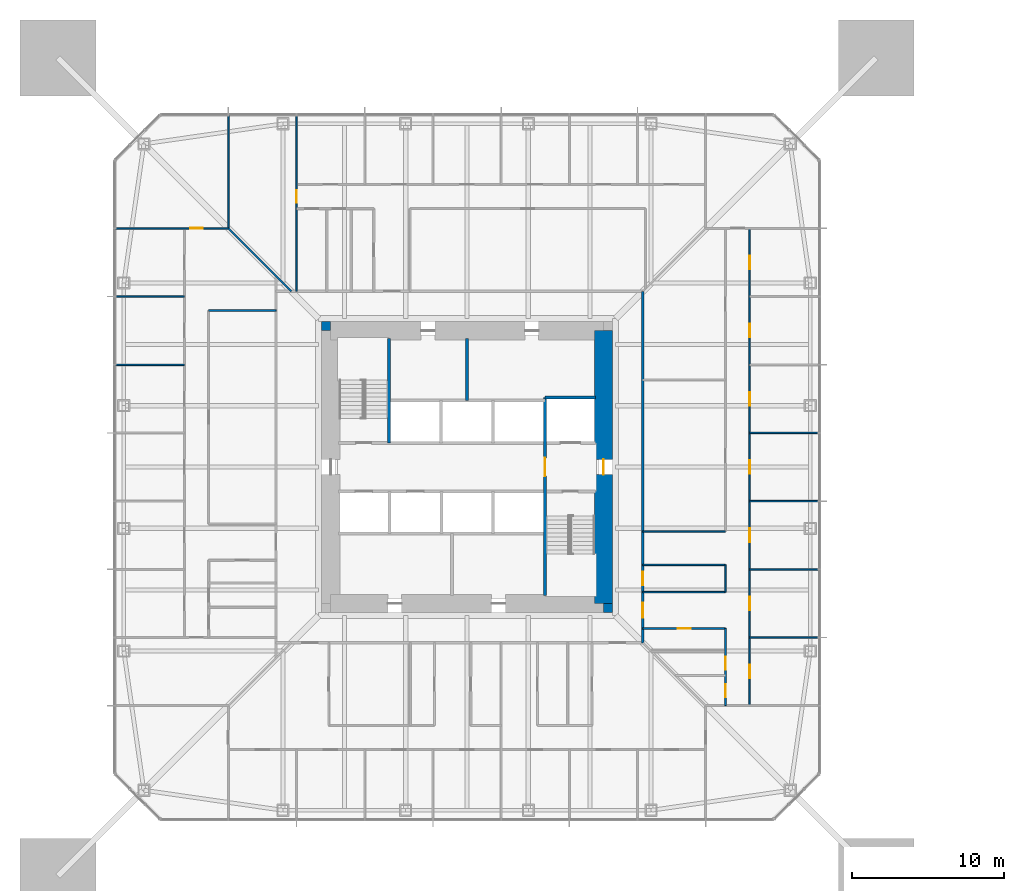
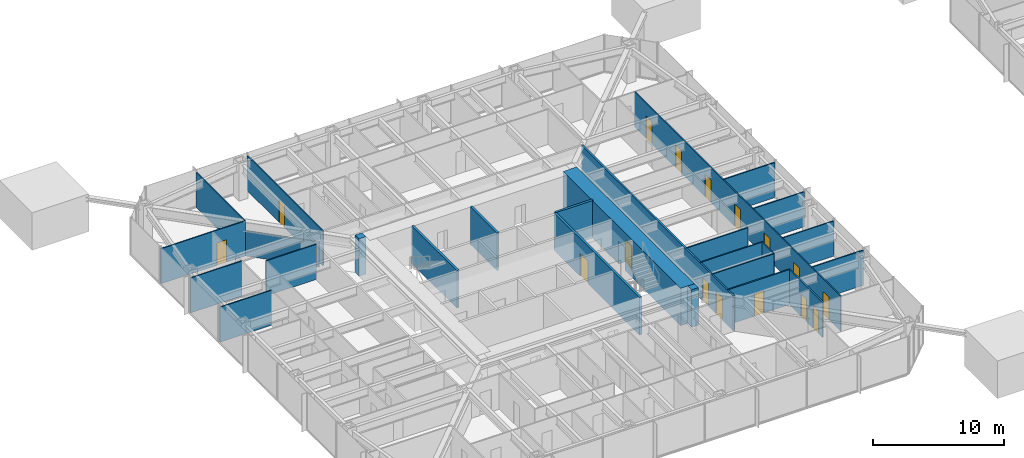
# One storey, part 16 of 26: 26 walls, 16 doors, 16 openings.
"""IFC4 building model written with IfcOpenShell, lengths in metres."""

from ifc_helpers import new_model, si_unit, direction, frame, frame_2d, origin, place, context, subcontext, project, spatial, rectangle, extrude, material, layer, layer_set, type_object, element, fill, save


model = new_model("IFC4")

# Units and contexts
model_context = context("Model", 3, precision=1e-05, world=origin(), true_north=direction((0.0, 1.0)))
body_context = subcontext(model_context, "Body", "Model", "MODEL_VIEW")
ifc_project = project(units=[si_unit("LENGTHUNIT", "METRE"), si_unit("AREAUNIT", "SQUARE_METRE"), si_unit("VOLUMEUNIT", "CUBIC_METRE"), si_unit("PLANEANGLEUNIT", "RADIAN"), si_unit("MASSUNIT", "GRAM", prefix="KILO")], contexts=[model_context])

# Site, building, storey
site_placement = place(None, origin())
site = spatial("IfcSite", under=ifc_project, at=site_placement, CompositionType="ELEMENT")
building_placement = place(site_placement, origin())
building = spatial("IfcBuilding", under=site, at=building_placement, Name="Iwan Alto Co-Living Towers", CompositionType="ELEMENT")
storey_placement = place(building_placement, frame((0.0, 0.0, 50.0)))
storey = spatial("IfcBuildingStorey", under=building, at=storey_placement, Name="L13", CompositionType="ELEMENT", Elevation=50.0)

# Wall, openings, doors
ifc_material_1 = material(Name="Gypsum board")
ifc_layer_1 = layer(ifc_material_1, 0.02490234375, Name="Board", Category="Finish")
ifc_material_2 = material(Name="Steel ASTM A1003 ST33H cold-formed studs", Category="steel")
ifc_layer_2 = layer(ifc_material_2, 0.10009765625, Name="Studs", Category="Framing")
ifc_layer_3 = layer(ifc_material_1, 0.02490234375, Name="Board", Category="Finish")
ifc_layer_set_1 = layer_set([ifc_layer_1, ifc_layer_2, ifc_layer_3], Name="CORRIDOR WALL 150")
wall_type_1 = type_object("IfcWallType", Name="CORRIDOR WALL 150", PredefinedType="PARTITIONING", material=ifc_layer_set_1)
wall_1_placement = place(storey_placement, frame((11.60009765625, -11.60009765625, 0.0), z_axis=(0.0, 0.0, 1.0), x_axis=(0.0, 1.0, 0.0)))
wall_1 = element("IfcWall", 1, at=wall_1_placement, inside=storey, type_object=wall_type_1, Name="Partition L13", PredefinedType="PARTITIONING", context=body_context, shape_type="SweptSolid", body=[
    extrude(rectangle(XDim=23.2001953125, YDim=0.14990234375, at=frame_2d((11.60009765625, 0.0))), origin(), (0.0, 0.0, 1.0), 3.27001953125),
])
opening_1_placement = place(wall_1_placement, frame((1.64990234375, 0.0, 0.0)))
opening_1 = element("IfcOpeningElement", 2, at=opening_1_placement, cuts=wall_1, Name="Opening D3", PredefinedType="OPENING", context=body_context, shape_type="SweptSolid", body=[
    extrude(rectangle(XDim=1.0, YDim=2.10009765625, at=frame_2d((0.5, 1.050048828125))), frame((0.0, 0.0849609375, 0.0), z_axis=(0.0, -1.0, 0.0), x_axis=(1.0, 0.0, 0.0)), (0.0, 0.0, 1.0), 0.169921875),
])
opening_2_placement = place(wall_1_placement, frame((3.800048828125, 0.0, 0.0)))
opening_2 = element("IfcOpeningElement", 3, at=opening_2_placement, cuts=wall_1, Name="Opening D8", PredefinedType="OPENING", context=body_context, shape_type="SweptSolid", body=[
    extrude(rectangle(XDim=0.89990234375, YDim=2.10009765625, at=frame_2d((0.449951171875, 1.050048828125))), frame((0.0, 0.0849609375, 0.0), z_axis=(0.0, -1.0, 0.0), x_axis=(1.0, 0.0, 0.0)), (0.0, 0.0, 1.0), 0.169921875),
])
ifc_material_3 = material(Name="Steel frame with timber leaf", Category="steel")
door_type_1 = type_object("IfcDoorType", Name="FLAT ENTRANCE DOOR FD30S 1000X2100", OperationType="SINGLE_SWING_LEFT", PredefinedType="DOOR", material=ifc_material_3)
door_1_placement = place(opening_1_placement, frame((1.0, 0.0, 0.0), z_axis=(0.0, 0.0, 1.0), x_axis=(-1.0, 0.0, 0.0)))
door_1 = element("IfcDoor", 4, at=door_1_placement, inside=storey, type_object=door_type_1, Name="Cluster lounge door L13", OperationType="SINGLE_SWING_RIGHT", OverallHeight=2.10009765625, OverallWidth=1.0, PredefinedType="DOOR", context=body_context, shape_type="SweptSolid", body=[
    extrude(rectangle(XDim=1.0, YDim=2.10009765625, at=frame_2d((0.5, 1.050048828125))), frame((0.0, 0.02490234375, 0.0), z_axis=(0.0, -1.0, 0.0), x_axis=(1.0, 0.0, 0.0)), (0.0, 0.0, 1.0), 0.050048828125),
])
fill(opening_1, door_1)
ifc_material_4 = material(Name="Steel frame with timber leaf", Category="steel")
door_type_2 = type_object("IfcDoorType", Name="RISER DOOR FD120 900X2100", OperationType="SINGLE_SWING_LEFT", PredefinedType="DOOR", material=ifc_material_4)
door_2_placement = place(opening_2_placement, frame((0.89990234375, 0.0, 0.0), z_axis=(0.0, 0.0, 1.0), x_axis=(-1.0, 0.0, 0.0)))
door_2 = element("IfcDoor", 5, at=door_2_placement, inside=storey, type_object=door_type_2, Name="Vending room door L13", OperationType="SINGLE_SWING_RIGHT", OverallHeight=2.10009765625, OverallWidth=0.89990234375, PredefinedType="DOOR", context=body_context, shape_type="SweptSolid", body=[
    extrude(rectangle(XDim=0.89990234375, YDim=2.10009765625, at=frame_2d((0.449951171875, 1.050048828125))), frame((0.0, 0.02490234375, 0.0), z_axis=(0.0, -1.0, 0.0), x_axis=(1.0, 0.0, 0.0)), (0.0, 0.0, 1.0), 0.050048828125),
])
fill(opening_2, door_2)

# Walls
ifc_layer_4 = layer(ifc_material_1, 0.012451171875, Name="Board", Category="Finish")
ifc_layer_5 = layer(ifc_material_2, 0.074951171875, Name="Studs", Category="Framing")
ifc_layer_6 = layer(ifc_material_1, 0.012451171875, Name="Board", Category="Finish")
ifc_layer_set_2 = layer_set([ifc_layer_4, ifc_layer_5, ifc_layer_6], Name="PARTITION 100")
wall_type_2 = type_object("IfcWallType", Name="PARTITION 100", PredefinedType="PARTITIONING", material=ifc_layer_set_2)
wall_2_placement = place(storey_placement, frame((18.64990234375, -11.25, 0.0), z_axis=(0.0, 0.0, 1.0), x_axis=(1.0, 0.0, 0.0)))
element("IfcWall", 6, at=wall_2_placement, inside=storey, type_object=wall_type_2, Name="Partition L13", PredefinedType="PARTITIONING", context=body_context, shape_type="SweptSolid", body=[
    extrude(rectangle(XDim=4.5400390625, YDim=0.10009765625, at=frame_2d((2.27001953125, 0.0))), origin(), (0.0, 0.0, 1.0), 3.27001953125),
])
wall_3_placement = place(storey_placement, frame((11.60009765625, -8.25, 0.0), z_axis=(0.0, 0.0, 1.0), x_axis=(1.0, 0.0, 0.0)))
element("IfcWall", 7, at=wall_3_placement, inside=storey, type_object=wall_type_2, Name="Partition L13", PredefinedType="PARTITIONING", context=body_context, shape_type="SweptSolid", body=[
    extrude(rectangle(XDim=5.449951171875, YDim=0.10009765625, at=frame_2d((2.72509765625, 0.0))), origin(), (0.0, 0.0, 1.0), 3.27001953125),
])
wall_4_placement = place(storey_placement, frame((18.64990234375, -6.75, 0.0), z_axis=(0.0, 0.0, 1.0), x_axis=(1.0, 0.0, 0.0)))
element("IfcWall", 8, at=wall_4_placement, inside=storey, type_object=wall_type_2, Name="Partition L13", PredefinedType="PARTITIONING", context=body_context, shape_type="SweptSolid", body=[
    extrude(rectangle(XDim=4.5400390625, YDim=0.10009765625, at=frame_2d((2.27001953125, 0.0))), origin(), (0.0, 0.0, 1.0), 3.27001953125),
])
for number, where, z_axis, x_axis, name in (
    (9, (11.60009765625, -6.449951171875, 0.0), (0.0, 0.0, 1.0), (1.0, 0.0, 0.0), "Partition L13"),
    (10, (11.60009765625, -4.25, 0.0), (0.0, 0.0, 1.0), (1.0, 0.0, 0.0), "Partition L13"),
):
    element("IfcWall", number, at=place(storey_placement, frame(where, z_axis=z_axis, x_axis=x_axis)), inside=storey, type_object=wall_type_2, Name=name, PredefinedType="PARTITIONING", context=body_context, shape_type="SweptSolid", body=[
        extrude(rectangle(XDim=5.449951171875, YDim=0.10009765625, at=frame_2d((2.72509765625, 0.0))), origin(), (0.0, 0.0, 1.0), 3.27001953125),
    ])
for number, where, z_axis, x_axis, name in (
    (11, (18.64990234375, -2.25, 0.0), (0.0, 0.0, 1.0), (1.0, 0.0, 0.0), "Partition L13"),
    (12, (18.64990234375, 2.25, 0.0), (0.0, 0.0, 1.0), (1.0, 0.0, 0.0), "Partition L13"),
    (13, (-23.18994140625, 6.75, 0.0), (0.0, 0.0, 1.0), (1.0, 0.0, 0.0), "Partition L13"),
):
    element("IfcWall", number, at=place(storey_placement, frame(where, z_axis=z_axis, x_axis=x_axis)), inside=storey, type_object=wall_type_2, Name=name, PredefinedType="PARTITIONING", context=body_context, shape_type="SweptSolid", body=[
        extrude(rectangle(XDim=4.5400390625, YDim=0.10009765625, at=frame_2d((2.27001953125, 0.0))), origin(), (0.0, 0.0, 1.0), 3.27001953125),
    ])
wall_5_placement = place(storey_placement, frame((-17.050048828125, 10.330078125, 0.0), z_axis=(0.0, 0.0, 1.0), x_axis=(1.0, 0.0, 0.0)))
element("IfcWall", 14, at=wall_5_placement, inside=storey, type_object=wall_type_2, Name="Partition L13", PredefinedType="PARTITIONING", context=body_context, shape_type="SweptSolid", body=[
    extrude(rectangle(XDim=4.449951171875, YDim=0.10009765625, at=frame_2d((2.22509765625, 0.0))), origin(), (0.0, 0.0, 1.0), 3.27001953125),
])
wall_6_placement = place(storey_placement, frame((-23.18994140625, 11.25, 0.0), z_axis=(0.0, 0.0, 1.0), x_axis=(1.0, 0.0, 0.0)))
element("IfcWall", 15, at=wall_6_placement, inside=storey, type_object=wall_type_2, Name="Partition L13", PredefinedType="PARTITIONING", context=body_context, shape_type="SweptSolid", body=[
    extrude(rectangle(XDim=4.5400390625, YDim=0.10009765625, at=frame_2d((2.27001953125, 0.0))), origin(), (0.0, 0.0, 1.0), 3.27001953125),
])

# Wall, opening, door
wall_7_placement = place(storey_placement, frame((-23.18994140625, 15.75, 0.0), z_axis=(0.0, 0.0, 1.0), x_axis=(1.0, 0.0, 0.0)))
wall_7 = element("IfcWall", 16, at=wall_7_placement, inside=storey, type_object=wall_type_2, Name="Partition L13", PredefinedType="PARTITIONING", context=body_context, shape_type="SweptSolid", body=[
    extrude(rectangle(XDim=7.43994140625, YDim=0.10009765625, at=frame_2d((3.719970703125, 0.0))), origin(), (0.0, 0.0, 1.0), 3.27001953125),
])
opening_3_placement = place(wall_7_placement, frame((4.9150390625, 0.0, 0.0)))
opening_3 = element("IfcOpeningElement", 17, at=opening_3_placement, cuts=wall_7, Name="Opening D2", PredefinedType="OPENING", context=body_context, shape_type="SweptSolid", body=[
    extrude(rectangle(XDim=0.85009765625, YDim=2.10009765625, at=frame_2d((0.425048828125, 1.050048828125))), frame((0.0, 0.06005859375, 0.0), z_axis=(0.0, -1.0, 0.0), x_axis=(1.0, 0.0, 0.0)), (0.0, 0.0, 1.0), 0.1201171875),
])
ifc_material_5 = material(Name="Timber leaf in steel frame", Category="steel")
door_type_3 = type_object("IfcDoorType", Name="ROOM DOOR 850X2100", OperationType="SINGLE_SWING_LEFT", PredefinedType="DOOR", material=ifc_material_5)
door_3_placement = place(opening_3_placement, frame((0.85009765625, 0.0, 0.0), z_axis=(0.0, 0.0, 1.0), x_axis=(-1.0, 0.0, 0.0)))
door_3 = element("IfcDoor", 18, at=door_3_placement, inside=storey, type_object=door_type_3, Name="Study lounge door L13", OperationType="SINGLE_SWING_RIGHT", OverallHeight=2.10009765625, OverallWidth=0.85009765625, PredefinedType="DOOR", context=body_context, shape_type="SweptSolid", body=[
    extrude(rectangle(XDim=0.85009765625, YDim=2.10009765625, at=frame_2d((0.425048828125, 1.050048828125))), frame((0.0, 0.02490234375, 0.0), z_axis=(0.0, -1.0, 0.0), x_axis=(1.0, 0.0, 0.0)), (0.0, 0.0, 1.0), 0.050048828125),
])
fill(opening_3, door_3)

# Wall, openings, doors
wall_8_placement = place(storey_placement, frame((18.64990234375, -15.75, 0.0), z_axis=(0.0, 0.0, 1.0), x_axis=(0.0, 1.0, 0.0)))
wall_8 = element("IfcWall", 19, at=wall_8_placement, inside=storey, type_object=wall_type_2, Name="Partition L13", PredefinedType="PARTITIONING", context=body_context, shape_type="SweptSolid", body=[
    extrude(rectangle(XDim=31.5, YDim=0.10009765625, at=frame_2d((15.75, 0.0))), origin(), (0.0, 0.0, 1.0), 3.27001953125),
])
opening_4_placement = place(wall_8_placement, frame((1.800048828125, 0.0, 0.0)))
opening_4 = element("IfcOpeningElement", 20, at=opening_4_placement, cuts=wall_8, Name="Opening D1", PredefinedType="OPENING", context=body_context, shape_type="SweptSolid", body=[
    extrude(rectangle(XDim=0.89990234375, YDim=2.10009765625, at=frame_2d((0.449951171875, 1.050048828125))), frame((0.0, 0.06005859375, 0.0), z_axis=(0.0, -1.0, 0.0), x_axis=(1.0, 0.0, 0.0)), (0.0, 0.0, 1.0), 0.1201171875),
])
opening_5_placement = place(wall_8_placement, frame((6.300048828125, 0.0, 0.0)))
opening_5 = element("IfcOpeningElement", 21, at=opening_5_placement, cuts=wall_8, Name="Opening D1", PredefinedType="OPENING", context=body_context, shape_type="SweptSolid", body=[
    extrude(rectangle(XDim=0.89990234375, YDim=2.10009765625, at=frame_2d((0.449951171875, 1.050048828125))), frame((0.0, 0.06005859375, 0.0), z_axis=(0.0, -1.0, 0.0), x_axis=(1.0, 0.0, 0.0)), (0.0, 0.0, 1.0), 0.1201171875),
])
opening_6_placement = place(wall_8_placement, frame((10.800048828125, 0.0, 0.0)))
opening_6 = element("IfcOpeningElement", 22, at=opening_6_placement, cuts=wall_8, Name="Opening D1", PredefinedType="OPENING", context=body_context, shape_type="SweptSolid", body=[
    extrude(rectangle(XDim=0.89990234375, YDim=2.10009765625, at=frame_2d((0.449951171875, 1.050048828125))), frame((0.0, 0.06005859375, 0.0), z_axis=(0.0, -1.0, 0.0), x_axis=(1.0, 0.0, 0.0)), (0.0, 0.0, 1.0), 0.1201171875),
])
opening_7_placement = place(wall_8_placement, frame((15.300048828125, 0.0, 0.0)))
opening_7 = element("IfcOpeningElement", 23, at=opening_7_placement, cuts=wall_8, Name="Opening D1", PredefinedType="OPENING", context=body_context, shape_type="SweptSolid", body=[
    extrude(rectangle(XDim=0.89990234375, YDim=2.10009765625, at=frame_2d((0.449951171875, 1.050048828125))), frame((0.0, 0.06005859375, 0.0), z_axis=(0.0, -1.0, 0.0), x_axis=(1.0, 0.0, 0.0)), (0.0, 0.0, 1.0), 0.1201171875),
])
opening_8_placement = place(wall_8_placement, frame((19.800048828125, 0.0, 0.0)))
opening_8 = element("IfcOpeningElement", 24, at=opening_8_placement, cuts=wall_8, Name="Opening D1", PredefinedType="OPENING", context=body_context, shape_type="SweptSolid", body=[
    extrude(rectangle(XDim=0.89990234375, YDim=2.10009765625, at=frame_2d((0.449951171875, 1.050048828125))), frame((0.0, 0.06005859375, 0.0), z_axis=(0.0, -1.0, 0.0), x_axis=(1.0, 0.0, 0.0)), (0.0, 0.0, 1.0), 0.1201171875),
])
opening_9_placement = place(wall_8_placement, frame((24.300048828125, 0.0, 0.0)))
opening_9 = element("IfcOpeningElement", 25, at=opening_9_placement, cuts=wall_8, Name="Opening D1", PredefinedType="OPENING", context=body_context, shape_type="SweptSolid", body=[
    extrude(rectangle(XDim=0.89990234375, YDim=2.10009765625, at=frame_2d((0.449951171875, 1.050048828125))), frame((0.0, 0.06005859375, 0.0), z_axis=(0.0, -1.0, 0.0), x_axis=(1.0, 0.0, 0.0)), (0.0, 0.0, 1.0), 0.1201171875),
])
opening_10_placement = place(wall_8_placement, frame((28.800048828125, 0.0, 0.0)))
opening_10 = element("IfcOpeningElement", 26, at=opening_10_placement, cuts=wall_8, Name="Opening D1", PredefinedType="OPENING", context=body_context, shape_type="SweptSolid", body=[
    extrude(rectangle(XDim=0.89990234375, YDim=2.10009765625, at=frame_2d((0.449951171875, 1.050048828125))), frame((0.0, 0.06005859375, 0.0), z_axis=(0.0, -1.0, 0.0), x_axis=(1.0, 0.0, 0.0)), (0.0, 0.0, 1.0), 0.1201171875),
])
ifc_material_6 = material(Name="Timber leaf in steel frame", Category="steel")
door_type_4 = type_object("IfcDoorType", Name="BEDROOM DOOR 900X2100", OperationType="SINGLE_SWING_LEFT", PredefinedType="DOOR", material=ifc_material_6)
door_4_placement = place(opening_4_placement, origin())
door_4 = element("IfcDoor", 27, at=door_4_placement, inside=storey, type_object=door_type_4, Name="Study bedroom door L13", OperationType="SINGLE_SWING_LEFT", OverallHeight=2.10009765625, OverallWidth=0.89990234375, PredefinedType="DOOR", context=body_context, shape_type="SweptSolid", body=[
    extrude(rectangle(XDim=0.89990234375, YDim=2.10009765625, at=frame_2d((0.449951171875, 1.050048828125))), frame((0.0, 0.02490234375, 0.0), z_axis=(0.0, -1.0, 0.0), x_axis=(1.0, 0.0, 0.0)), (0.0, 0.0, 1.0), 0.050048828125),
])
fill(opening_4, door_4)
door_5_placement = place(opening_5_placement, origin())
door_5 = element("IfcDoor", 28, at=door_5_placement, inside=storey, type_object=door_type_4, Name="Study bedroom door L13", OperationType="SINGLE_SWING_LEFT", OverallHeight=2.10009765625, OverallWidth=0.89990234375, PredefinedType="DOOR", context=body_context, shape_type="SweptSolid", body=[
    extrude(rectangle(XDim=0.89990234375, YDim=2.10009765625, at=frame_2d((0.449951171875, 1.050048828125))), frame((0.0, 0.02490234375, 0.0), z_axis=(0.0, -1.0, 0.0), x_axis=(1.0, 0.0, 0.0)), (0.0, 0.0, 1.0), 0.050048828125),
])
fill(opening_5, door_5)
door_6_placement = place(opening_6_placement, origin())
door_6 = element("IfcDoor", 29, at=door_6_placement, inside=storey, type_object=door_type_4, Name="Study bedroom door L13", OperationType="SINGLE_SWING_LEFT", OverallHeight=2.10009765625, OverallWidth=0.89990234375, PredefinedType="DOOR", context=body_context, shape_type="SweptSolid", body=[
    extrude(rectangle(XDim=0.89990234375, YDim=2.10009765625, at=frame_2d((0.449951171875, 1.050048828125))), frame((0.0, 0.02490234375, 0.0), z_axis=(0.0, -1.0, 0.0), x_axis=(1.0, 0.0, 0.0)), (0.0, 0.0, 1.0), 0.050048828125),
])
fill(opening_6, door_6)
door_7_placement = place(opening_7_placement, origin())
door_7 = element("IfcDoor", 30, at=door_7_placement, inside=storey, type_object=door_type_4, Name="Study bedroom door L13", OperationType="SINGLE_SWING_LEFT", OverallHeight=2.10009765625, OverallWidth=0.89990234375, PredefinedType="DOOR", context=body_context, shape_type="SweptSolid", body=[
    extrude(rectangle(XDim=0.89990234375, YDim=2.10009765625, at=frame_2d((0.449951171875, 1.050048828125))), frame((0.0, 0.02490234375, 0.0), z_axis=(0.0, -1.0, 0.0), x_axis=(1.0, 0.0, 0.0)), (0.0, 0.0, 1.0), 0.050048828125),
])
fill(opening_7, door_7)
door_8_placement = place(opening_8_placement, origin())
door_8 = element("IfcDoor", 31, at=door_8_placement, inside=storey, type_object=door_type_4, Name="Study bedroom door L13", OperationType="SINGLE_SWING_RIGHT", OverallHeight=2.10009765625, OverallWidth=0.89990234375, PredefinedType="DOOR", context=body_context, shape_type="SweptSolid", body=[
    extrude(rectangle(XDim=0.89990234375, YDim=2.10009765625, at=frame_2d((0.449951171875, 1.050048828125))), frame((0.0, 0.02490234375, 0.0), z_axis=(0.0, -1.0, 0.0), x_axis=(1.0, 0.0, 0.0)), (0.0, 0.0, 1.0), 0.050048828125),
])
fill(opening_8, door_8)
door_9_placement = place(opening_9_placement, origin())
door_9 = element("IfcDoor", 32, at=door_9_placement, inside=storey, type_object=door_type_4, Name="Study bedroom door L13", OperationType="SINGLE_SWING_RIGHT", OverallHeight=2.10009765625, OverallWidth=0.89990234375, PredefinedType="DOOR", context=body_context, shape_type="SweptSolid", body=[
    extrude(rectangle(XDim=0.89990234375, YDim=2.10009765625, at=frame_2d((0.449951171875, 1.050048828125))), frame((0.0, 0.02490234375, 0.0), z_axis=(0.0, -1.0, 0.0), x_axis=(1.0, 0.0, 0.0)), (0.0, 0.0, 1.0), 0.050048828125),
])
fill(opening_9, door_9)
door_10_placement = place(opening_10_placement, origin())
door_10 = element("IfcDoor", 33, at=door_10_placement, inside=storey, type_object=door_type_4, Name="Study bedroom door L13", OperationType="SINGLE_SWING_RIGHT", OverallHeight=2.10009765625, OverallWidth=0.89990234375, PredefinedType="DOOR", context=body_context, shape_type="SweptSolid", body=[
    extrude(rectangle(XDim=0.89990234375, YDim=2.10009765625, at=frame_2d((0.449951171875, 1.050048828125))), frame((0.0, 0.02490234375, 0.0), z_axis=(0.0, -1.0, 0.0), x_axis=(1.0, 0.0, 0.0)), (0.0, 0.0, 1.0), 0.050048828125),
])
fill(opening_10, door_10)

# Wall
wall_9_placement = place(storey_placement, frame((17.050048828125, -8.25, 0.0), z_axis=(0.0, 0.0, 1.0), x_axis=(0.0, 1.0, 0.0)))
element("IfcWall", 34, at=wall_9_placement, inside=storey, type_object=wall_type_2, Name="Partition L13", PredefinedType="PARTITIONING", context=body_context, shape_type="SweptSolid", body=[
    extrude(rectangle(XDim=1.800048828125, YDim=0.10009765625, at=frame_2d((0.89990234375, 0.0))), origin(), (0.0, 0.0, 1.0), 3.27001953125),
])

# Wall, opening, door
wall_10_placement = place(storey_placement, frame((-11.25, 11.60009765625, 0.0), z_axis=(0.0, 0.0, 1.0), x_axis=(0.0, 1.0, 0.0)))
wall_10 = element("IfcWall", 35, at=wall_10_placement, inside=storey, type_object=wall_type_2, Name="Partition L13", PredefinedType="PARTITIONING", context=body_context, shape_type="SweptSolid", body=[
    extrude(rectangle(XDim=11.58984375, YDim=0.10009765625, at=frame_2d((5.794921875, 0.0))), origin(), (0.0, 0.0, 1.0), 3.27001953125),
])
opening_11_placement = place(wall_10_placement, frame((5.824951171875, 0.0, 0.0)))
opening_11 = element("IfcOpeningElement", 36, at=opening_11_placement, cuts=wall_10, Name="Opening D2", PredefinedType="OPENING", context=body_context, shape_type="SweptSolid", body=[
    extrude(rectangle(XDim=0.85009765625, YDim=2.10009765625, at=frame_2d((0.425048828125, 1.050048828125))), frame((0.0, 0.06005859375, 0.0), z_axis=(0.0, -1.0, 0.0), x_axis=(1.0, 0.0, 0.0)), (0.0, 0.0, 1.0), 0.1201171875),
])
door_11_placement = place(opening_11_placement, frame((0.85009765625, 0.0, 0.0), z_axis=(0.0, 0.0, 1.0), x_axis=(-1.0, 0.0, 0.0)))
door_11 = element("IfcDoor", 37, at=door_11_placement, inside=storey, type_object=door_type_3, Name="Co-working room door L13", OperationType="SINGLE_SWING_RIGHT", OverallHeight=2.10009765625, OverallWidth=0.85009765625, PredefinedType="DOOR", context=body_context, shape_type="SweptSolid", body=[
    extrude(rectangle(XDim=0.85009765625, YDim=2.10009765625, at=frame_2d((0.425048828125, 1.050048828125))), frame((0.0, 0.02490234375, 0.0), z_axis=(0.0, -1.0, 0.0), x_axis=(1.0, 0.0, 0.0)), (0.0, 0.0, 1.0), 0.050048828125),
])
fill(opening_11, door_11)

# Walls
wall_11_placement = place(storey_placement, frame((-15.75, 15.75, 0.0), z_axis=(0.0, 0.0, 1.0), x_axis=(0.0, 1.0, 0.0)))
element("IfcWall", 38, at=wall_11_placement, inside=storey, type_object=wall_type_2, Name="Partition L13", PredefinedType="PARTITIONING", context=body_context, shape_type="SweptSolid", body=[
    extrude(rectangle(XDim=7.43994140625, YDim=0.10009765625, at=frame_2d((3.719970703125, 0.0))), origin(), (0.0, 0.0, 1.0), 3.27001953125),
])
wall_12_placement = place(storey_placement, frame((-11.60009765625, 11.60009765625, 0.0), z_axis=(0.0, 0.0, 1.0), x_axis=(-0.707106781187, 0.707106781187, 0.0)))
element("IfcWall", 39, at=wall_12_placement, inside=storey, type_object=wall_type_2, Name="Partition L13", PredefinedType="PARTITIONING", context=body_context, shape_type="SweptSolid", body=[
    extrude(rectangle(XDim=5.868896484375, YDim=0.10009765625, at=frame_2d((2.9345703125, 0.0))), origin(), (0.0, 0.0, 1.0), 2.343017578125),
])
ifc_material_7 = material(Name="Concrete f'c 70 MPa", Category="concrete")
ifc_layer_7 = layer(ifc_material_7, 0.199951171875)
ifc_layer_set_3 = layer_set([ifc_layer_7], Name="SHAFT WALL 200")
wall_type_3 = type_object("IfcWallType", Name="SHAFT WALL 200", PredefinedType="SOLIDWALL", material=ifc_layer_set_3)
wall_13_placement = place(storey_placement, frame((5.14990234375, 4.60009765625, 0.0), z_axis=(0.0, 0.0, 1.0), x_axis=(1.0, 0.0, 0.0)))
element("IfcWall", 40, at=wall_13_placement, inside=storey, type_object=wall_type_3, Name="Shaft wall L13", PredefinedType="SOLIDWALL", context=body_context, shape_type="SweptSolid", body=[
    extrude(rectangle(XDim=3.340087890625, YDim=0.199951171875, at=frame_2d((1.669921875, 0.0))), origin(), (0.0, 0.0, 1.0), 3.5),
])

# Wall, opening, door
wall_14_placement = place(storey_placement, frame((5.14990234375, -8.489990234375, 0.0), z_axis=(0.0, 0.0, 1.0), x_axis=(0.0, 1.0, 0.0)))
wall_14 = element("IfcWall", 41, at=wall_14_placement, inside=storey, type_object=wall_type_3, Name="Shaft wall L13", PredefinedType="SOLIDWALL", context=body_context, shape_type="SweptSolid", body=[
    extrude(rectangle(XDim=13.090087890625, YDim=0.199951171875, at=frame_2d((6.544921875, 0.0))), origin(), (0.0, 0.0, 1.0), 3.5),
])
opening_12_placement = place(wall_14_placement, frame((7.889892578125, 0.0, 0.0)))
opening_12 = element("IfcOpeningElement", 42, at=opening_12_placement, cuts=wall_14, Name="Opening D6", PredefinedType="OPENING", context=body_context, shape_type="SweptSolid", body=[
    extrude(rectangle(XDim=1.199951171875, YDim=2.10009765625, at=frame_2d((0.60009765625, 1.050048828125))), frame((0.0, 0.10986328125, 0.0), z_axis=(0.0, -1.0, 0.0), x_axis=(1.0, 0.0, 0.0)), (0.0, 0.0, 1.0), 0.219970703125),
])
ifc_material_8 = material(Name="Steel frame with timber leaf", Category="steel")
door_type_5 = type_object("IfcDoorType", Name="LOBBY DOOR FD120S 1200X2100", OperationType="SINGLE_SWING_LEFT", PredefinedType="DOOR", material=ifc_material_8)
door_12_placement = place(opening_12_placement, frame((1.199951171875, 0.0, 0.0), z_axis=(0.0, 0.0, 1.0), x_axis=(-1.0, 0.0, 0.0)))
door_12 = element("IfcDoor", 43, at=door_12_placement, inside=storey, type_object=door_type_5, Name="Firefighting lobby door L13", OperationType="SINGLE_SWING_RIGHT", OverallHeight=2.10009765625, OverallWidth=1.199951171875, PredefinedType="DOOR", context=body_context, shape_type="SweptSolid", body=[
    extrude(rectangle(XDim=1.199951171875, YDim=2.10009765625, at=frame_2d((0.60009765625, 1.050048828125))), frame((0.0, 0.02490234375, 0.0), z_axis=(0.0, -1.0, 0.0), x_axis=(1.0, 0.0, 0.0)), (0.0, 0.0, 1.0), 0.050048828125),
])
fill(opening_12, door_12)

# Walls
wall_15_placement = place(storey_placement, frame((0.0, 4.39990234375, 0.0), z_axis=(0.0, 0.0, 1.0), x_axis=(0.0, 1.0, 0.0)))
element("IfcWall", 44, at=wall_15_placement, inside=storey, type_object=wall_type_3, Name="Shaft wall L13", PredefinedType="SOLIDWALL", context=body_context, shape_type="SweptSolid", body=[
    extrude(rectangle(XDim=4.090087890625, YDim=0.199951171875, at=frame_2d((2.044921875, 0.0))), origin(), (0.0, 0.0, 1.0), 3.5),
])
wall_16_placement = place(storey_placement, frame((-5.14990234375, 1.60009765625, 0.0), z_axis=(0.0, 0.0, 1.0), x_axis=(0.0, 1.0, 0.0)))
element("IfcWall", 45, at=wall_16_placement, inside=storey, type_object=wall_type_3, Name="Shaft wall L13", PredefinedType="SOLIDWALL", context=body_context, shape_type="SweptSolid", body=[
    extrude(rectangle(XDim=6.889892578125, YDim=0.199951171875, at=frame_2d((3.44482421875, 0.0))), origin(), (0.0, 0.0, 1.0), 3.5),
])
ifc_material_9 = material(Name="Concrete f'c 70 MPa", Category="concrete")
ifc_layer_8 = layer(ifc_material_9, 0.60009765625)
ifc_layer_set_4 = layer_set([ifc_layer_8], Name="T1 CORE CORNER FILL 600")
wall_type_4 = type_object("IfcWallType", Name="T1 CORE CORNER FILL 600", PredefinedType="SOLIDWALL", material=ifc_layer_set_4)
for number, where, z_axis, x_axis, name in (
    (46, (9.0, -9.300048828125, 0.0), (0.0, 0.0, 1.0), (1.0, 0.0, 0.0), "T1 core corner SE L13"),
    (47, (-9.60009765625, 9.300048828125, 0.0), (0.0, 0.0, 1.0), (1.0, 0.0, 0.0), "T1 core corner NW L13"),
):
    element("IfcWall", number, at=place(storey_placement, frame(where, z_axis=z_axis, x_axis=x_axis)), inside=storey, type_object=wall_type_4, Name=name, PredefinedType="SOLIDWALL", context=body_context, shape_type="SweptSolid", body=[
        extrude(rectangle(XDim=0.60009765625, YDim=0.60009765625, at=frame_2d((0.300048828125, 0.0))), origin(), (0.0, 0.0, 1.0), 3.5),
    ])

# Wall, opening, door
ifc_material_10 = material(Name="Concrete f'c 70 MPa", Category="concrete")
ifc_layer_9 = layer(ifc_material_10, 1.199951171875)
ifc_layer_set_5 = layer_set([ifc_layer_9], Name="T1 CORE WALL 1200")
wall_type_5 = type_object("IfcWallType", Name="T1 CORE WALL 1200", PredefinedType="SHEAR", material=ifc_layer_set_5)
wall_17_placement = place(storey_placement, frame((9.0, -9.0, 0.0), z_axis=(0.0, 0.0, 1.0), x_axis=(0.0, 1.0, 0.0)))
wall_17 = element("IfcWall", 48, at=wall_17_placement, inside=storey, type_object=wall_type_5, Name="T1 core wall E L13", PredefinedType="SHEAR", context=body_context, shape_type="SweptSolid", body=[
    extrude(rectangle(XDim=18.0, YDim=1.199951171875, at=frame_2d((9.0, 0.0))), origin(), (0.0, 0.0, 1.0), 3.5),
])
opening_13_placement = place(wall_17_placement, frame((8.5, 0.0, 0.0)))
opening_13 = element("IfcOpeningElement", 49, at=opening_13_placement, cuts=wall_17, Name="Opening D7", PredefinedType="OPENING", context=body_context, shape_type="SweptSolid", body=[
    extrude(rectangle(XDim=1.0, YDim=2.10009765625, at=frame_2d((0.5, 1.050048828125))), frame((0.0, 0.60986328125, 0.0), z_axis=(0.0, -1.0, 0.0), x_axis=(1.0, 0.0, 0.0)), (0.0, 0.0, 1.0), 1.219970703125),
])
ifc_material_11 = material(Name="Steel frame with timber leaf", Category="steel")
door_type_6 = type_object("IfcDoorType", Name="CORE DOOR FD120S 1000X2100", OperationType="SINGLE_SWING_LEFT", PredefinedType="DOOR", material=ifc_material_11)
door_13_placement = place(opening_13_placement, origin())
door_13 = element("IfcDoor", 50, at=door_13_placement, inside=storey, type_object=door_type_6, Name="Firefighting lobby core door L13", OperationType="SINGLE_SWING_LEFT", OverallHeight=2.10009765625, OverallWidth=1.0, PredefinedType="DOOR", context=body_context, shape_type="SweptSolid", body=[
    extrude(rectangle(XDim=1.0, YDim=2.10009765625, at=frame_2d((0.5, 1.050048828125))), frame((0.0, 0.02490234375, 0.0), z_axis=(0.0, -1.0, 0.0), x_axis=(1.0, 0.0, 0.0)), (0.0, 0.0, 1.0), 0.050048828125),
])
fill(opening_13, door_13)

ifc_material_12 = material(Name="Cement board")
ifc_layer_10 = layer(ifc_material_12, 0.012451171875, Name="Board", Category="Finish")
ifc_layer_11 = layer(ifc_material_2, 0.094970703125, Name="Studs", Category="Framing")
ifc_layer_12 = layer(ifc_material_12, 0.012451171875, Name="Board", Category="Finish")
ifc_layer_set_6 = layer_set([ifc_layer_10, ifc_layer_11, ifc_layer_12], Name="WET AREA PARTITION 120")
wall_type_6 = type_object("IfcWallType", Name="WET AREA PARTITION 120", PredefinedType="PARTITIONING", material=ifc_layer_set_6)
wall_18_placement = place(storey_placement, frame((11.60009765625, -10.64990234375, 0.0), z_axis=(0.0, 0.0, 1.0), x_axis=(1.0, 0.0, 0.0)))
wall_18 = element("IfcWall", 51, at=wall_18_placement, inside=storey, type_object=wall_type_6, Name="Partition L13", PredefinedType="PARTITIONING", context=body_context, shape_type="SweptSolid", body=[
    extrude(rectangle(XDim=5.449951171875, YDim=0.1201171875, at=frame_2d((2.72509765625, 0.0))), origin(), (0.0, 0.0, 1.0), 3.27001953125),
])
opening_14_placement = place(wall_18_placement, frame((2.300048828125, 0.0, 0.0)))
opening_14 = element("IfcOpeningElement", 52, at=opening_14_placement, cuts=wall_18, Name="Opening D2", PredefinedType="OPENING", context=body_context, shape_type="SweptSolid", body=[
    extrude(rectangle(XDim=0.85009765625, YDim=2.10009765625, at=frame_2d((0.425048828125, 1.050048828125))), frame((0.0, 0.070068359375, 0.0), z_axis=(0.0, -1.0, 0.0), x_axis=(1.0, 0.0, 0.0)), (0.0, 0.0, 1.0), 0.14013671875),
])
door_14_placement = place(opening_14_placement, origin())
door_14 = element("IfcDoor", 53, at=door_14_placement, inside=storey, type_object=door_type_3, Name="Bathroom door L13", OperationType="SINGLE_SWING_LEFT", OverallHeight=2.10009765625, OverallWidth=0.85009765625, PredefinedType="DOOR", context=body_context, shape_type="SweptSolid", body=[
    extrude(rectangle(XDim=0.85009765625, YDim=2.10009765625, at=frame_2d((0.425048828125, 1.050048828125))), frame((0.0, 0.02490234375, 0.0), z_axis=(0.0, -1.0, 0.0), x_axis=(1.0, 0.0, 0.0)), (0.0, 0.0, 1.0), 0.050048828125),
])
fill(opening_14, door_14)

# Wall, openings, doors
wall_19_placement = place(storey_placement, frame((17.050048828125, -15.75, 0.0), z_axis=(0.0, 0.0, 1.0), x_axis=(0.0, 1.0, 0.0)))
wall_19 = element("IfcWall", 54, at=wall_19_placement, inside=storey, type_object=wall_type_6, Name="Partition L13", PredefinedType="PARTITIONING", context=body_context, shape_type="SweptSolid", body=[
    extrude(rectangle(XDim=5.10009765625, YDim=0.1201171875, at=frame_2d((2.550048828125, 0.0))), origin(), (0.0, 0.0, 1.0), 3.27001953125),
])
opening_15_placement = place(wall_19_placement, frame((0.574951171875, 0.0, 0.0)))
opening_15 = element("IfcOpeningElement", 55, at=opening_15_placement, cuts=wall_19, Name="Opening D2", PredefinedType="OPENING", context=body_context, shape_type="SweptSolid", body=[
    extrude(rectangle(XDim=0.85009765625, YDim=2.10009765625, at=frame_2d((0.425048828125, 1.050048828125))), frame((0.0, 0.070068359375, 0.0), z_axis=(0.0, -1.0, 0.0), x_axis=(1.0, 0.0, 0.0)), (0.0, 0.0, 1.0), 0.14013671875),
])
opening_16_placement = place(wall_19_placement, frame((2.375, 0.0, 0.0)))
opening_16 = element("IfcOpeningElement", 56, at=opening_16_placement, cuts=wall_19, Name="Opening D2", PredefinedType="OPENING", context=body_context, shape_type="SweptSolid", body=[
    extrude(rectangle(XDim=0.85009765625, YDim=2.10009765625, at=frame_2d((0.425048828125, 1.050048828125))), frame((0.0, 0.070068359375, 0.0), z_axis=(0.0, -1.0, 0.0), x_axis=(1.0, 0.0, 0.0)), (0.0, 0.0, 1.0), 0.14013671875),
])
door_15_placement = place(opening_15_placement, frame((0.85009765625, 0.0, 0.0), z_axis=(0.0, 0.0, 1.0), x_axis=(-1.0, 0.0, 0.0)))
door_15 = element("IfcDoor", 57, at=door_15_placement, inside=storey, type_object=door_type_3, Name="Laundry door L13", OperationType="SINGLE_SWING_RIGHT", OverallHeight=2.10009765625, OverallWidth=0.85009765625, PredefinedType="DOOR", context=body_context, shape_type="SweptSolid", body=[
    extrude(rectangle(XDim=0.85009765625, YDim=2.10009765625, at=frame_2d((0.425048828125, 1.050048828125))), frame((0.0, 0.02490234375, 0.0), z_axis=(0.0, -1.0, 0.0), x_axis=(1.0, 0.0, 0.0)), (0.0, 0.0, 1.0), 0.050048828125),
])
fill(opening_15, door_15)
door_16_placement = place(opening_16_placement, frame((0.85009765625, 0.0, 0.0), z_axis=(0.0, 0.0, 1.0), x_axis=(-1.0, 0.0, 0.0)))
door_16 = element("IfcDoor", 58, at=door_16_placement, inside=storey, type_object=door_type_3, Name="Accessible bathroom door L13", OperationType="SINGLE_SWING_RIGHT", OverallHeight=2.10009765625, OverallWidth=0.85009765625, PredefinedType="DOOR", context=body_context, shape_type="SweptSolid", body=[
    extrude(rectangle(XDim=0.85009765625, YDim=2.10009765625, at=frame_2d((0.425048828125, 1.050048828125))), frame((0.0, 0.02490234375, 0.0), z_axis=(0.0, -1.0, 0.0), x_axis=(1.0, 0.0, 0.0)), (0.0, 0.0, 1.0), 0.050048828125),
])
fill(opening_16, door_16)

save(model, "model.ifc")
